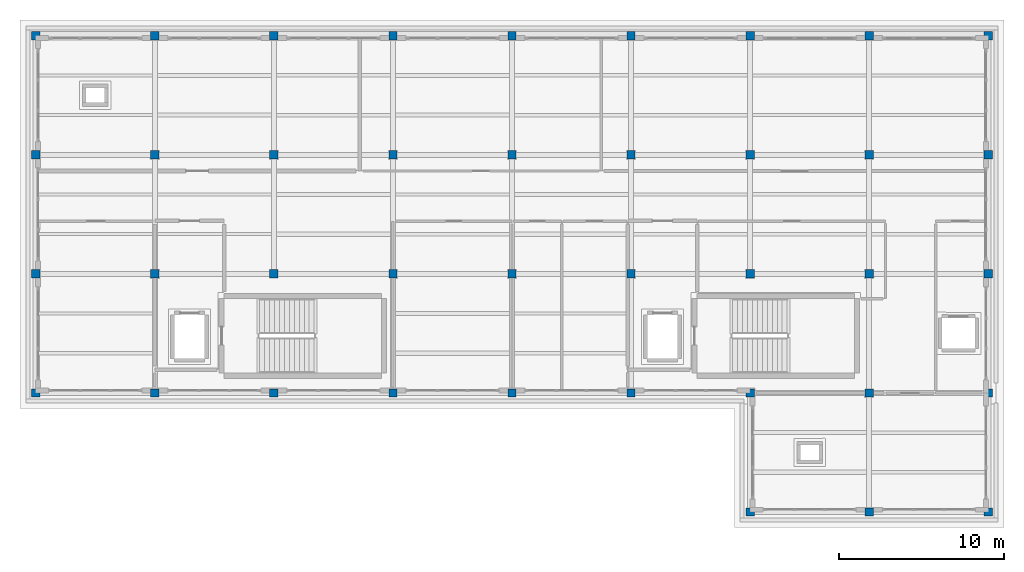
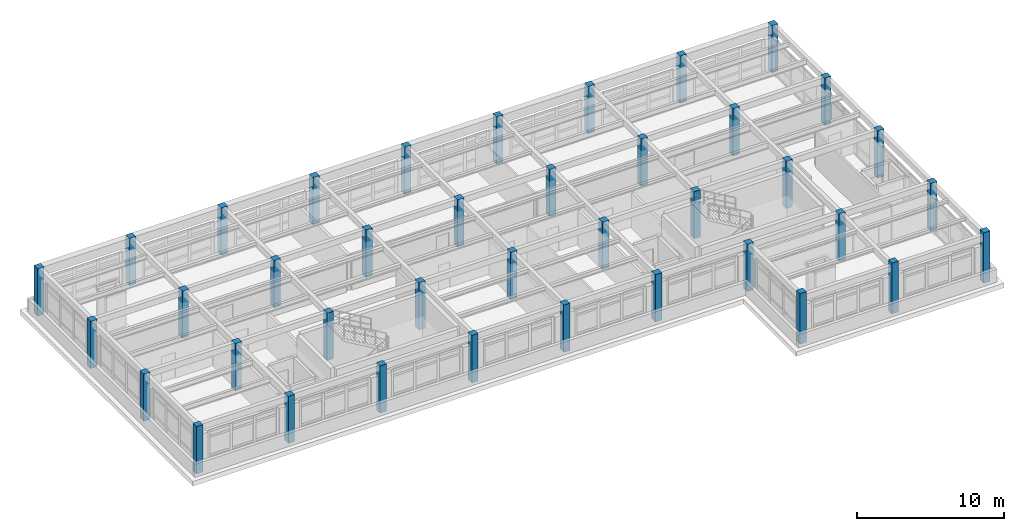
# One storey, part 1 of 18: 39 columns.
"""IFC4 building model written with IfcOpenShell, lengths in metres."""

from ifc_helpers import new_model, si_unit, direction, frame, origin, origin_2d, place, context, subcontext, project, spatial, rectangle, extrude, material, material_profile, profile_set, type_object, element, save


model = new_model("IFC4")

# Units and contexts
model_context = context("Model", 3, precision=1e-05, world=origin(), true_north=direction((0.0, 1.0)))
body_context = subcontext(model_context, "Body", "Model", "MODEL_VIEW")
ifc_project = project(units=[si_unit("LENGTHUNIT", "METRE"), si_unit("AREAUNIT", "SQUARE_METRE"), si_unit("VOLUMEUNIT", "CUBIC_METRE"), si_unit("PLANEANGLEUNIT", "RADIAN"), si_unit("MASSUNIT", "GRAM", prefix="KILO")], contexts=[model_context])

# Site, building, storey
site_placement = place(None, origin())
site = spatial("IfcSite", under=ifc_project, at=site_placement, CompositionType="ELEMENT")
building_placement = place(site_placement, origin())
building = spatial("IfcBuilding", under=site, at=building_placement, Name="Solenvale Faculty of Natural Sciences", CompositionType="ELEMENT")
storey_placement = place(building_placement, frame((0.0, 0.0, 43.800048828125)))
storey = spatial("IfcBuildingStorey", under=building, at=storey_placement, Name="L10", CompositionType="ELEMENT", Elevation=43.800048828125)

# Columns
ifc_material = material(Name="Concrete 40 MPa", Category="concrete")
ifc_material_profile = material_profile(ifc_material, rectangle(XDim=0.5, YDim=0.5, at=origin_2d()), Name="RC-COL-500x500")
ifc_profile_set = profile_set([ifc_material_profile], Name="Concrete 40 MPa")
column_type = type_object("IfcColumnType", Name="COL-RC-500", PredefinedType="COLUMN", material=ifc_profile_set)
for number, where, z_axis, x_axis, name in (
    (1, (93.60009765625, 93.60009765625, 0.0), (0.0, 0.0, 1.0), (1.0, 0.0, 0.0), "L10 Column (93.6, 93.6)"),
    (2, (93.60009765625, 100.800048828125, 0.0), (0.0, 0.0, 1.0), (1.0, 0.0, 0.0), "L10 Column (93.6, 100.8)"),
    (3, (93.60009765625, 108.0, 0.0), (0.0, 0.0, 1.0), (1.0, 0.0, 0.0), "L10 Column (93.6, 108.0)"),
    (4, (93.60009765625, 115.199951171875, 0.0), (0.0, 0.0, 1.0), (1.0, 0.0, 0.0), "L10 Column (93.6, 115.2)"),
    (5, (100.800048828125, 93.60009765625, 0.0), (0.0, 0.0, 1.0), (1.0, 0.0, 0.0), "L10 Column (100.8, 93.6)"),
    (6, (100.800048828125, 100.800048828125, 0.0), (0.0, 0.0, 1.0), (1.0, 0.0, 0.0), "L10 Column (100.8, 100.8)"),
    (7, (100.800048828125, 108.0, 0.0), (0.0, 0.0, 1.0), (1.0, 0.0, 0.0), "L10 Column (100.8, 108.0)"),
    (8, (100.800048828125, 115.199951171875, 0.0), (0.0, 0.0, 1.0), (1.0, 0.0, 0.0), "L10 Column (100.8, 115.2)"),
    (9, (108.0, 93.60009765625, 0.0), (0.0, 0.0, 1.0), (1.0, 0.0, 0.0), "L10 Column (108.0, 93.6)"),
    (10, (108.0, 100.800048828125, 0.0), (0.0, 0.0, 1.0), (1.0, 0.0, 0.0), "L10 Column (108.0, 100.8)"),
    (11, (108.0, 108.0, 0.0), (0.0, 0.0, 1.0), (1.0, 0.0, 0.0), "L10 Column (108.0, 108.0)"),
    (12, (108.0, 115.199951171875, 0.0), (0.0, 0.0, 1.0), (1.0, 0.0, 0.0), "L10 Column (108.0, 115.2)"),
    (13, (115.199951171875, 93.60009765625, 0.0), (0.0, 0.0, 1.0), (1.0, 0.0, 0.0), "L10 Column (115.2, 93.6)"),
    (14, (115.199951171875, 100.800048828125, 0.0), (0.0, 0.0, 1.0), (1.0, 0.0, 0.0), "L10 Column (115.2, 100.8)"),
    (15, (115.199951171875, 108.0, 0.0), (0.0, 0.0, 1.0), (1.0, 0.0, 0.0), "L10 Column (115.2, 108.0)"),
    (16, (115.199951171875, 115.199951171875, 0.0), (0.0, 0.0, 1.0), (1.0, 0.0, 0.0), "L10 Column (115.2, 115.2)"),
    (17, (122.39990234375, 93.60009765625, 0.0), (0.0, 0.0, 1.0), (1.0, 0.0, 0.0), "L10 Column (122.4, 93.6)"),
    (18, (122.39990234375, 100.800048828125, 0.0), (0.0, 0.0, 1.0), (1.0, 0.0, 0.0), "L10 Column (122.4, 100.8)"),
    (19, (122.39990234375, 108.0, 0.0), (0.0, 0.0, 1.0), (1.0, 0.0, 0.0), "L10 Column (122.4, 108.0)"),
    (20, (122.39990234375, 115.199951171875, 0.0), (0.0, 0.0, 1.0), (1.0, 0.0, 0.0), "L10 Column (122.4, 115.2)"),
    (21, (129.60009765625, 93.60009765625, 0.0), (0.0, 0.0, 1.0), (1.0, 0.0, 0.0), "L10 Column (129.6, 93.6)"),
    (22, (129.60009765625, 100.800048828125, 0.0), (0.0, 0.0, 1.0), (1.0, 0.0, 0.0), "L10 Column (129.6, 100.8)"),
    (23, (129.60009765625, 108.0, 0.0), (0.0, 0.0, 1.0), (1.0, 0.0, 0.0), "L10 Column (129.6, 108.0)"),
    (24, (129.60009765625, 115.199951171875, 0.0), (0.0, 0.0, 1.0), (1.0, 0.0, 0.0), "L10 Column (129.6, 115.2)"),
):
    element("IfcColumn", number, at=place(storey_placement, frame(where, z_axis=z_axis, x_axis=x_axis)), inside=storey, type_object=column_type, Name=name, PredefinedType="COLUMN", context=body_context, shape_type="SweptSolid", body=[
        extrude(rectangle(XDim=0.5, YDim=0.5, at=origin_2d()), origin(), (0.0, 0.0, 1.0), 3.919921875),
    ])
column_1_placement = place(storey_placement, frame((136.800048828125, 86.39990234375, 0.0), z_axis=(0.0, 0.0, 1.0), x_axis=(1.0, 0.0, 0.0)))
element("IfcColumn", 25, at=column_1_placement, inside=storey, type_object=column_type, Name="L10 Column (136.8, 86.4)", PredefinedType="COLUMN", context=body_context, shape_type="SweptSolid", body=[
    extrude(rectangle(XDim=0.5, YDim=0.5, at=origin_2d()), origin(), (0.0, 0.0, 1.0), 4.199951171875),
])
for number, where, z_axis, x_axis, name in (
    (26, (136.800048828125, 93.60009765625, 0.0), (0.0, 0.0, 1.0), (1.0, 0.0, 0.0), "L10 Column (136.8, 93.6)"),
    (27, (136.800048828125, 100.800048828125, 0.0), (0.0, 0.0, 1.0), (1.0, 0.0, 0.0), "L10 Column (136.8, 100.8)"),
    (28, (136.800048828125, 108.0, 0.0), (0.0, 0.0, 1.0), (1.0, 0.0, 0.0), "L10 Column (136.8, 108.0)"),
    (29, (136.800048828125, 115.199951171875, 0.0), (0.0, 0.0, 1.0), (1.0, 0.0, 0.0), "L10 Column (136.8, 115.2)"),
):
    element("IfcColumn", number, at=place(storey_placement, frame(where, z_axis=z_axis, x_axis=x_axis)), inside=storey, type_object=column_type, Name=name, PredefinedType="COLUMN", context=body_context, shape_type="SweptSolid", body=[
        extrude(rectangle(XDim=0.5, YDim=0.5, at=origin_2d()), origin(), (0.0, 0.0, 1.0), 3.919921875),
    ])
column_2_placement = place(storey_placement, frame((144.0, 86.39990234375, 0.0), z_axis=(0.0, 0.0, 1.0), x_axis=(1.0, 0.0, 0.0)))
element("IfcColumn", 30, at=column_2_placement, inside=storey, type_object=column_type, Name="L10 Column (144.0, 86.4)", PredefinedType="COLUMN", context=body_context, shape_type="SweptSolid", body=[
    extrude(rectangle(XDim=0.5, YDim=0.5, at=origin_2d()), origin(), (0.0, 0.0, 1.0), 4.199951171875),
])
for number, where, z_axis, x_axis, name in (
    (31, (144.0, 93.60009765625, 0.0), (0.0, 0.0, 1.0), (1.0, 0.0, 0.0), "L10 Column (144.0, 93.6)"),
    (32, (144.0, 100.800048828125, 0.0), (0.0, 0.0, 1.0), (1.0, 0.0, 0.0), "L10 Column (144.0, 100.8)"),
    (33, (144.0, 108.0, 0.0), (0.0, 0.0, 1.0), (1.0, 0.0, 0.0), "L10 Column (144.0, 108.0)"),
    (34, (144.0, 115.199951171875, 0.0), (0.0, 0.0, 1.0), (1.0, 0.0, 0.0), "L10 Column (144.0, 115.2)"),
):
    element("IfcColumn", number, at=place(storey_placement, frame(where, z_axis=z_axis, x_axis=x_axis)), inside=storey, type_object=column_type, Name=name, PredefinedType="COLUMN", context=body_context, shape_type="SweptSolid", body=[
        extrude(rectangle(XDim=0.5, YDim=0.5, at=origin_2d()), origin(), (0.0, 0.0, 1.0), 3.919921875),
    ])
column_3_placement = place(storey_placement, frame((151.199951171875, 86.39990234375, 0.0), z_axis=(0.0, 0.0, 1.0), x_axis=(1.0, 0.0, 0.0)))
element("IfcColumn", 35, at=column_3_placement, inside=storey, type_object=column_type, Name="L10 Column (151.2, 86.4)", PredefinedType="COLUMN", context=body_context, shape_type="SweptSolid", body=[
    extrude(rectangle(XDim=0.5, YDim=0.5, at=origin_2d()), origin(), (0.0, 0.0, 1.0), 4.199951171875),
])
for number, where, z_axis, x_axis, name in (
    (36, (151.199951171875, 93.60009765625, 0.0), (0.0, 0.0, 1.0), (1.0, 0.0, 0.0), "L10 Column (151.2, 93.6)"),
    (37, (151.199951171875, 100.800048828125, 0.0), (0.0, 0.0, 1.0), (1.0, 0.0, 0.0), "L10 Column (151.2, 100.8)"),
    (38, (151.199951171875, 108.0, 0.0), (0.0, 0.0, 1.0), (1.0, 0.0, 0.0), "L10 Column (151.2, 108.0)"),
    (39, (151.199951171875, 115.199951171875, 0.0), (0.0, 0.0, 1.0), (1.0, 0.0, 0.0), "L10 Column (151.2, 115.2)"),
):
    element("IfcColumn", number, at=place(storey_placement, frame(where, z_axis=z_axis, x_axis=x_axis)), inside=storey, type_object=column_type, Name=name, PredefinedType="COLUMN", context=body_context, shape_type="SweptSolid", body=[
        extrude(rectangle(XDim=0.5, YDim=0.5, at=origin_2d()), origin(), (0.0, 0.0, 1.0), 3.919921875),
    ])

save(model, "model.ifc")
